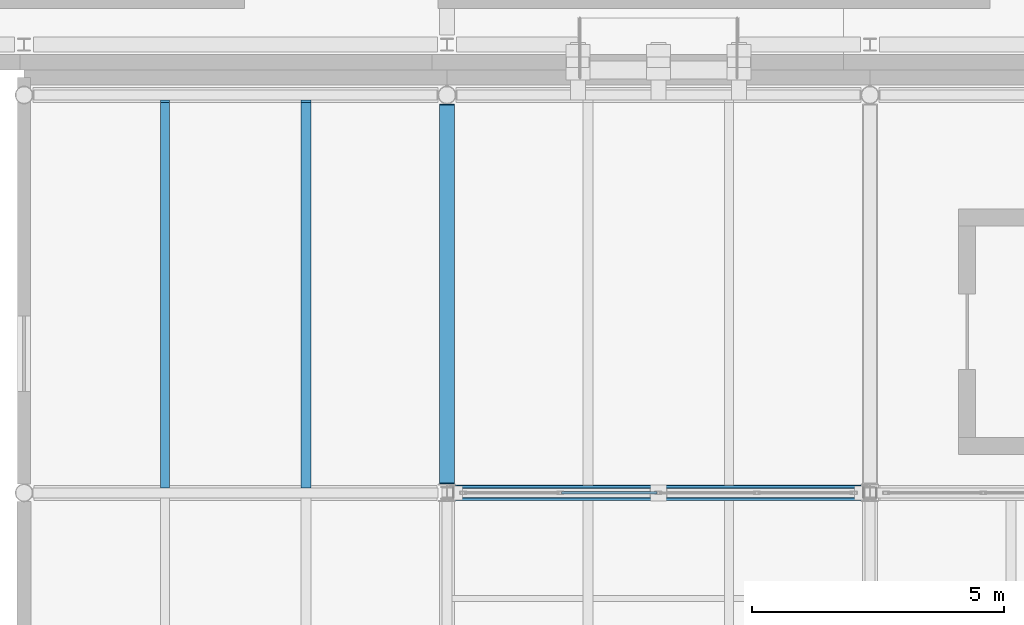
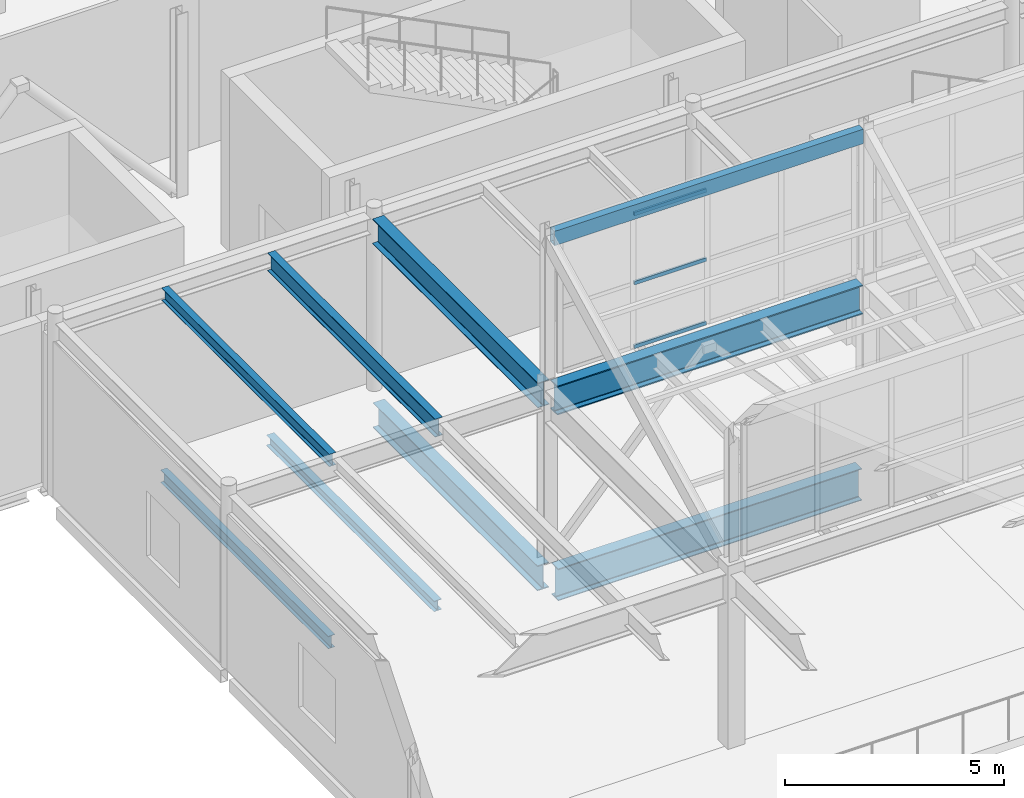
# One storey, part 33 of 91: 9 beams, 3 members, 1 element without a shape of its own.
"""IFC4 building model written with IfcOpenShell, lengths in metres."""

from ifc_helpers import new_model, si_unit, direction, frame, origin, origin_2d, place, context, subcontext, project, spatial, hollow_rectangle, i_section, extrude, material, layer, layer_set, material_profile, profile_set, type_object, element, aggregate, save


model = new_model("IFC4")

# Units and contexts
model_context = context("Model", 3, precision=1e-05, world=origin(), true_north=direction((0.0, 1.0)))
body_context = subcontext(model_context, "Body", "Model", "MODEL_VIEW")
ifc_project = project(units=[si_unit("LENGTHUNIT", "METRE"), si_unit("AREAUNIT", "SQUARE_METRE"), si_unit("VOLUMEUNIT", "CUBIC_METRE"), si_unit("PLANEANGLEUNIT", "RADIAN"), si_unit("MASSUNIT", "GRAM", prefix="KILO"), si_unit("THERMODYNAMICTEMPERATUREUNIT", "KELVIN")], contexts=[model_context])

# Site, building, storey
site_placement = place(None, origin())
site = spatial("IfcSite", under=ifc_project, at=site_placement, CompositionType="ELEMENT")
building_placement = place(site_placement, origin())
building = spatial("IfcBuilding", under=site, at=building_placement, Name="Lustrewick Department Store", CompositionType="ELEMENT")
storey_placement = place(building_placement, frame((0.0, 0.0, 21.60009765625)))
storey = spatial("IfcBuildingStorey", under=building, at=storey_placement, Name="L05", CompositionType="ELEMENT", Elevation=21.60009765625)

# Beams
ifc_material_1 = material(Name="Structural steel Q355B", Category="steel")
ifc_material_profile_1 = material_profile(ifc_material_1, i_section(OverallWidth=0.199951171875, OverallDepth=0.5, WebThickness=0.010009765625, FlangeThickness=0.01611328125, FilletRadius=0.01611328125, at=origin_2d()), Name="HN 500x200x10x16")
ifc_profile_set_1 = profile_set([ifc_material_profile_1], Name="Structural steel Q355B")
beam_type_1 = type_object("IfcBeamType", Name="B01", PredefinedType="JOIST", material=ifc_profile_set_1)
beam_1_placement = place(storey_placement, frame((123.199951171875, 42.1005859375, 4.594970703125), z_axis=(0.0, 1.0, 0.0), x_axis=(-1.0, 0.0, 0.0)))
element("IfcBeam", 1, at=beam_1_placement, inside=storey, type_object=beam_type_1, Name="L05 V3 Secondary Joist B01", PredefinedType="JOIST", context=body_context, shape_type="SweptSolid", body=[
    extrude(i_section(OverallWidth=0.199951171875, OverallDepth=0.5, WebThickness=0.010009765625, FlangeThickness=0.01611328125, FilletRadius=0.01611328125, at=origin_2d()), origin(), (0.0, 0.0, 1.0), 7.6494140625),
])
ifc_material_profile_2 = material_profile(ifc_material_1, i_section(OverallWidth=0.175048828125, OverallDepth=0.35009765625, WebThickness=0.007080078125, FlangeThickness=0.010986328125, FilletRadius=0.012939453125, at=origin_2d()), Name="HN 350x175x7x11")
ifc_profile_set_2 = profile_set([ifc_material_profile_2], Name="Structural steel Q355B")
beam_type_2 = type_object("IfcBeamType", Name="B09", PredefinedType="JOIST", material=ifc_profile_set_2)
beam_2_placement = place(storey_placement, frame((120.39990234375, 42.14990234375, -0.43017578125), z_axis=(0.0, 1.0, 0.0), x_axis=(-1.0, 0.0, 0.0)))
element("IfcBeam", 2, at=beam_2_placement, inside=storey, type_object=beam_type_2, Name="L05 V3 Secondary Joist B09", PredefinedType="JOIST", context=body_context, shape_type="SweptSolid", body=[
    extrude(i_section(OverallWidth=0.175048828125, OverallDepth=0.35009765625, WebThickness=0.007080078125, FlangeThickness=0.010986328125, FilletRadius=0.012939453125, at=origin_2d()), origin(), (0.0, 0.0, 1.0), 7.649658203125),
])
ifc_material_profile_3 = material_profile(ifc_material_1, i_section(OverallWidth=0.174072265625, OverallDepth=0.345947265625, WebThickness=0.006103515625, FlangeThickness=0.009033203125, FilletRadius=0.012939453125, at=origin_2d()), Name="HN 346x174x6x9")
ifc_profile_set_3 = profile_set([ifc_material_profile_3], Name="Structural steel Q355B")
beam_type_3 = type_object("IfcBeamType", Name="B10", PredefinedType="JOIST", material=ifc_profile_set_3)
beam_3_placement = place(storey_placement, frame((120.39990234375, 42.1005859375, 4.671875), z_axis=(0.0, 1.0, 0.0), x_axis=(-1.0, 0.0, 0.0)))
element("IfcBeam", 3, at=beam_3_placement, inside=storey, type_object=beam_type_3, Name="L05 V3 Secondary Joist B10", PredefinedType="JOIST", context=body_context, shape_type="SweptSolid", body=[
    extrude(i_section(OverallWidth=0.174072265625, OverallDepth=0.345947265625, WebThickness=0.006103515625, FlangeThickness=0.009033203125, FilletRadius=0.012939453125, at=origin_2d()), origin(), (0.0, 0.0, 1.0), 7.6494140625),
])
ifc_material_profile_4 = material_profile(ifc_material_1, i_section(OverallWidth=0.199951171875, OverallDepth=0.2939453125, WebThickness=0.008056640625, FlangeThickness=0.011962890625, FilletRadius=0.013916015625, at=origin_2d()), Name="HM 294x200x8x12")
ifc_profile_set_4 = profile_set([ifc_material_profile_4], Name="Structural steel Q355B")
beam_type_4 = type_object("IfcBeamType", Name="B13", PredefinedType="JOIST", material=ifc_profile_set_4)
beam_4_placement = place(storey_placement, frame((123.199951171875, 42.14990234375, -0.402099609375), z_axis=(0.0, 1.0, 0.0), x_axis=(-1.0, 0.0, 0.0)))
element("IfcBeam", 4, at=beam_4_placement, inside=storey, type_object=beam_type_4, Name="L05 V3 Secondary Joist B13", PredefinedType="JOIST", context=body_context, shape_type="SweptSolid", body=[
    extrude(i_section(OverallWidth=0.199951171875, OverallDepth=0.2939453125, WebThickness=0.008056640625, FlangeThickness=0.011962890625, FilletRadius=0.013916015625, at=origin_2d()), origin(), (0.0, 0.0, 1.0), 7.649658203125),
])

# Curtain wall, members
ifc_material_2 = material(Name="Thermally broken aluminium 6063-T5", Category="aluminium")
ifc_layer = layer(ifc_material_2, 0.139892578125, Name="Thermally broken aluminium 6063-T5")
ifc_layer_set = layer_set([ifc_layer], Name="Thermally broken aluminium 6063-T5")
curtain_wall_type = type_object("IfcCurtainWallType", Name="CW15", PredefinedType="NOTDEFINED", material=ifc_layer_set)
curtain_wall_placement = place(storey_placement, origin())
curtain_wall = element("IfcCurtainWall", 5, at=curtain_wall_placement, inside=storey, type_object=curtain_wall_type, Name="L05 North-Light Clerestory CW15", PredefinedType="NOTDEFINED")
ifc_material_profile_5 = material_profile(ifc_material_2, hollow_rectangle(XDim=0.054931640625, YDim=0.10009765625, WallThickness=0.0029296875, at=origin_2d()), Name="ALU-T 55x100x3")
ifc_profile_set_5 = profile_set([ifc_material_profile_5], Name="Thermally broken aluminium 6063-T5")
member_type = type_object("IfcMemberType", Name="CW15-T1", PredefinedType="USERDEFINED", material=ifc_profile_set_5)
member_1_placement = place(storey_placement, frame((128.277587890625, 42.0, 5.12744140625), z_axis=(1.0, 0.0, 0.0), x_axis=(0.0, 1.0, 0.0)))
member_1 = element("IfcMember", 6, at=member_1_placement, type_object=member_type, Name="CW15 transom 2.1", ObjectType="TRANSOM", PredefinedType="USERDEFINED", context=body_context, shape_type="SweptSolid", body=[
    extrude(hollow_rectangle(XDim=0.054931640625, YDim=0.10009765625, WallThickness=0.0029296875, at=origin_2d()), origin(), (0.0, 0.0, 1.0), 1.89501953125),
])
member_2_placement = place(storey_placement, frame((128.277587890625, 42.0, 6.89990234375), z_axis=(1.0, 0.0, 0.0), x_axis=(0.0, 1.0, 0.0)))
member_2 = element("IfcMember", 7, at=member_2_placement, type_object=member_type, Name="CW15 transom 2.2", ObjectType="TRANSOM", PredefinedType="USERDEFINED", context=body_context, shape_type="SweptSolid", body=[
    extrude(hollow_rectangle(XDim=0.054931640625, YDim=0.10009765625, WallThickness=0.0029296875, at=origin_2d()), origin(), (0.0, 0.0, 1.0), 1.89501953125),
])
member_3_placement = place(storey_placement, frame((128.277587890625, 42.0, 8.822509765625), z_axis=(1.0, 0.0, 0.0), x_axis=(0.0, 1.0, 0.0)))
member_3 = element("IfcMember", 8, at=member_3_placement, type_object=member_type, Name="CW15 transom 2.3", ObjectType="TRANSOM", PredefinedType="USERDEFINED", context=body_context, shape_type="SweptSolid", body=[
    extrude(hollow_rectangle(XDim=0.054931640625, YDim=0.10009765625, WallThickness=0.0029296875, at=origin_2d()), origin(), (0.0, 0.0, 1.0), 1.89501953125),
])
aggregate(curtain_wall, [member_1, member_2, member_3])

# Beams
ifc_material_3 = material(Name="Structural steel Q355C", Category="steel")
ifc_material_profile_6 = material_profile(ifc_material_3, i_section(OverallWidth=0.299072265625, OverallDepth=0.889892578125, WebThickness=0.014892578125, FlangeThickness=0.02294921875, FilletRadius=0.02392578125, at=origin_2d()), Name="HN 890x299x15x23")
ifc_profile_set_6 = profile_set([ifc_material_profile_6], Name="Structural steel Q355C")
beam_type_5 = type_object("IfcBeamType", Name="G03", PredefinedType="BEAM", material=ifc_profile_set_6)
beam_5_placement = place(storey_placement, frame((126.200927734375, 42.0, -0.7001953125), z_axis=(1.0, 0.0, 0.0), x_axis=(0.0, 1.0, 0.0)))
element("IfcBeam", 9, at=beam_5_placement, inside=storey, type_object=beam_type_5, Name="L05 V3 Girder G03", PredefinedType="BEAM", context=body_context, shape_type="SweptSolid", body=[
    extrude(i_section(OverallWidth=0.299072265625, OverallDepth=0.889892578125, WebThickness=0.014892578125, FlangeThickness=0.02294921875, FilletRadius=0.02392578125, at=origin_2d()), origin(), (0.0, 0.0, 1.0), 7.998046875),
])
ifc_material_profile_7 = material_profile(ifc_material_3, i_section(OverallWidth=0.302001953125, OverallDepth=0.80810546875, WebThickness=0.01611328125, FlangeThickness=0.030029296875, FilletRadius=0.02197265625, at=origin_2d()), Name="HN 808x302x16x30")
ifc_profile_set_7 = profile_set([ifc_material_profile_7], Name="Structural steel Q355C")
beam_type_6 = type_object("IfcBeamType", Name="G04", PredefinedType="BEAM", material=ifc_profile_set_7)
beam_6_placement = place(storey_placement, frame((126.174072265625, 42.0, 4.44091796875), z_axis=(1.0, 0.0, 0.0), x_axis=(0.0, 1.0, 0.0)))
element("IfcBeam", 10, at=beam_6_placement, inside=storey, type_object=beam_type_6, Name="L05 V3 Girder G04", PredefinedType="BEAM", context=body_context, shape_type="SweptSolid", body=[
    extrude(i_section(OverallWidth=0.302001953125, OverallDepth=0.80810546875, WebThickness=0.01611328125, FlangeThickness=0.030029296875, FilletRadius=0.02197265625, at=origin_2d()), origin(), (0.0, 0.0, 1.0), 8.052001953125),
])
ifc_material_profile_8 = material_profile(ifc_material_1, i_section(OverallWidth=0.300048828125, OverallDepth=0.699951171875, WebThickness=0.012939453125, FlangeThickness=0.02392578125, FilletRadius=0.02001953125, at=origin_2d()), Name="HN 700x300x13x24")
ifc_profile_set_8 = profile_set([ifc_material_profile_8], Name="Structural steel Q355B")
beam_type_7 = type_object("IfcBeamType", Name="G08", PredefinedType="BEAM", material=ifc_profile_set_8)
beam_7_placement = place(storey_placement, frame((126.0, 42.194091796875, -0.60498046875), z_axis=(0.0, 1.0, 0.0), x_axis=(-1.0, 0.0, 0.0)))
element("IfcBeam", 11, at=beam_7_placement, inside=storey, type_object=beam_type_7, Name="L05 V3 Girder G08", PredefinedType="BEAM", context=body_context, shape_type="SweptSolid", body=[
    extrude(i_section(OverallWidth=0.300048828125, OverallDepth=0.699951171875, WebThickness=0.012939453125, FlangeThickness=0.02392578125, FilletRadius=0.02001953125, at=origin_2d()), origin(), (0.0, 0.0, 1.0), 7.5029296875),
])
ifc_material_profile_9 = material_profile(ifc_material_1, i_section(OverallWidth=0.300048828125, OverallDepth=0.69189453125, WebThickness=0.012939453125, FlangeThickness=0.02001953125, FilletRadius=0.02001953125, at=origin_2d()), Name="HN 692x300x13x20")
ifc_profile_set_9 = profile_set([ifc_material_profile_9], Name="Structural steel Q355B")
beam_type_8 = type_object("IfcBeamType", Name="G09", PredefinedType="BEAM", material=ifc_profile_set_9)
beam_8_placement = place(storey_placement, frame((126.0, 42.172119140625, 4.4990234375), z_axis=(0.0, 1.0, 0.0), x_axis=(-1.0, 0.0, 0.0)))
element("IfcBeam", 12, at=beam_8_placement, inside=storey, type_object=beam_type_8, Name="L05 V3 Girder G09", PredefinedType="BEAM", context=body_context, shape_type="SweptSolid", body=[
    extrude(i_section(OverallWidth=0.300048828125, OverallDepth=0.69189453125, WebThickness=0.012939453125, FlangeThickness=0.02001953125, FilletRadius=0.02001953125, at=origin_2d()), origin(), (0.0, 0.0, 1.0), 7.5498046875),
])
ifc_material_profile_10 = material_profile(ifc_material_3, hollow_rectangle(XDim=0.199951171875, YDim=0.39990234375, WallThickness=0.011962890625, at=origin_2d()), Name="RHS 400x200x12")
ifc_profile_set_10 = profile_set([ifc_material_profile_10], Name="Structural steel Q355C")
beam_type_9 = type_object("IfcBeamType", Name="G19", PredefinedType="BEAM", material=ifc_profile_set_10)
beam_9_placement = place(storey_placement, frame((126.1298828125, 42.0, 8.93994140625), z_axis=(1.0, 0.0, 0.0), x_axis=(0.0, 1.0, 0.0)))
element("IfcBeam", 13, at=beam_9_placement, inside=storey, type_object=beam_type_9, Name="V3 Lantern Ridge Tie 2.1", PredefinedType="BEAM", context=body_context, shape_type="SweptSolid", body=[
    extrude(hollow_rectangle(XDim=0.199951171875, YDim=0.39990234375, WallThickness=0.011962890625, at=origin_2d()), origin(), (0.0, 0.0, 1.0), 8.14013671875),
])

save(model, "model.ifc")
